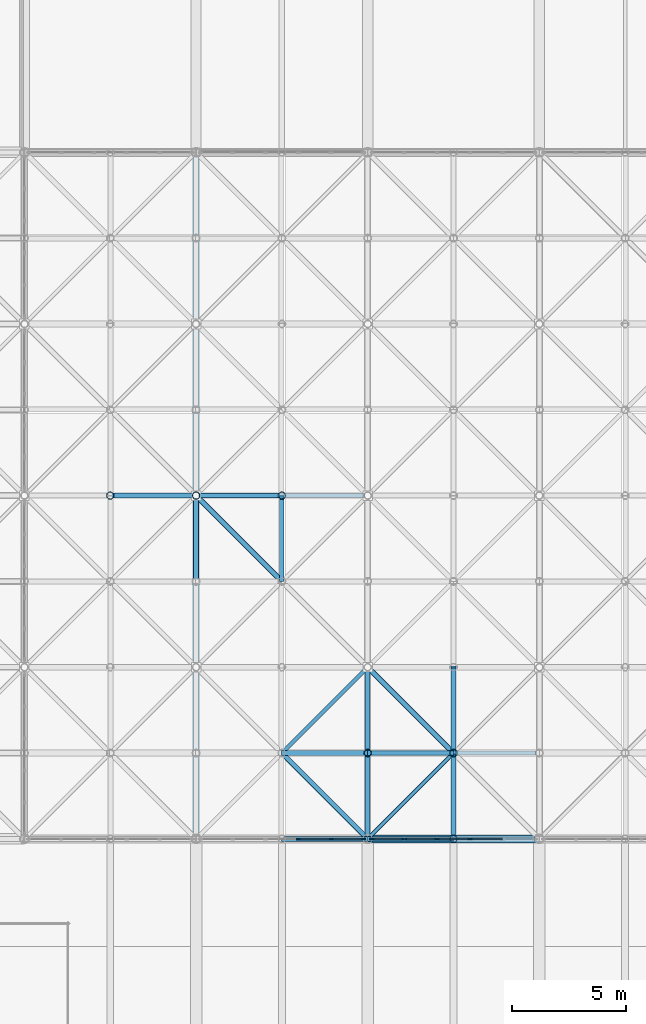
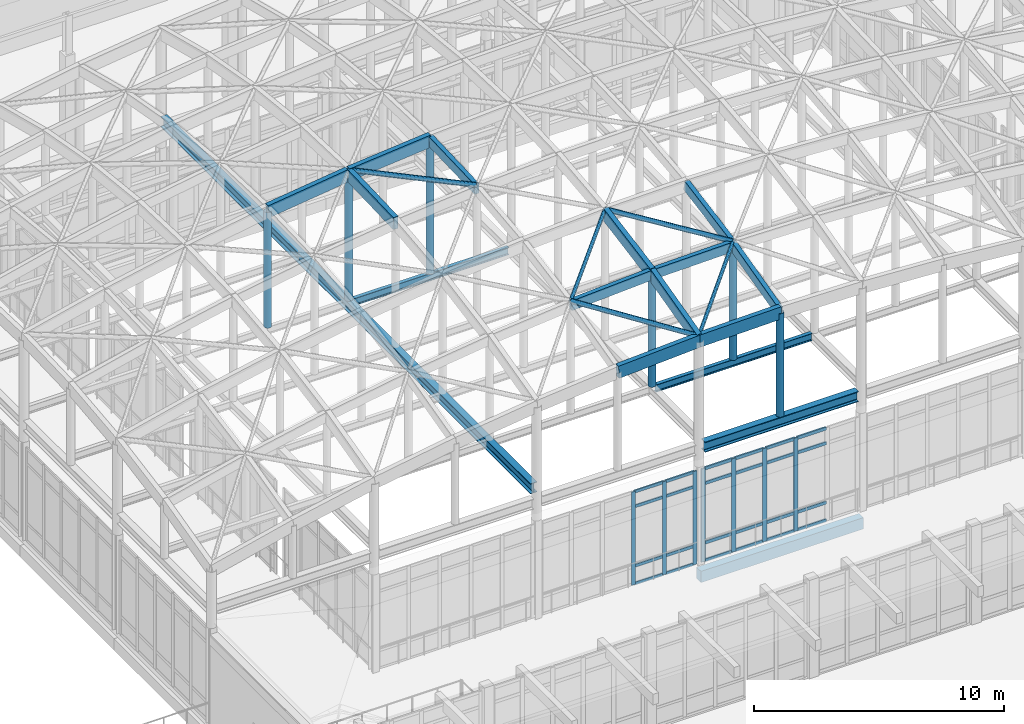
# One storey, part 34 of 131: 54 members, 5 beams, 2 elements without a shape of their own.
"""IFC4 building model written with IfcOpenShell, lengths in metres."""

from ifc_helpers import new_model, si_unit, direction, frame, origin, origin_2d, place, context, subcontext, project, spatial, rectangle, hollow_circle, i_section, extrude, material, layer, layer_set, material_profile, profile_set, type_object, element, aggregate, save


model = new_model("IFC4")

# Units and contexts
model_context = context("Model", 3, precision=1e-05, world=origin(), true_north=direction((0.0, 1.0)))
body_context = subcontext(model_context, "Body", "Model", "MODEL_VIEW")
ifc_project = project(units=[si_unit("LENGTHUNIT", "METRE"), si_unit("AREAUNIT", "SQUARE_METRE"), si_unit("VOLUMEUNIT", "CUBIC_METRE"), si_unit("PLANEANGLEUNIT", "RADIAN"), si_unit("MASSUNIT", "GRAM", prefix="KILO")], contexts=[model_context])

# Site, building, storey
site_placement = place(None, origin())
site = spatial("IfcSite", under=ifc_project, at=site_placement, CompositionType="ELEMENT")
building_placement = place(site_placement, origin())
building = spatial("IfcBuilding", under=site, at=building_placement, Name="Dalvernix Boulevard General Hospital", CompositionType="ELEMENT")
storey_placement = place(building_placement, frame((0.0, 0.0, 9.300048828125)))
storey = spatial("IfcBuildingStorey", under=building, at=storey_placement, Name="L02", CompositionType="ELEMENT", Elevation=9.300048828125)

# Beams
ifc_material_1 = material(Name="Steel S355", Category="steel")
ifc_material_profile_1 = material_profile(ifc_material_1, i_section(OverallWidth=0.300048828125, OverallDepth=0.5, WebThickness=0.014404296875, FlangeThickness=0.028076171875, FilletRadius=0.027099609375, at=origin_2d()), Name="HEB 500")
ifc_profile_set_1 = profile_set([ifc_material_profile_1], Name="Steel S355")
beam_type_1 = type_object("IfcBeamType", Name="BM-RB-02", PredefinedType="BEAM", material=ifc_profile_set_1)
beam_1_placement = place(storey_placement, frame((82.7099609375, 31.5, 5.64990234375), z_axis=(1.0, 0.0, 0.0), x_axis=(0.0, 1.0, 0.0)))
element("IfcBeam", 1, at=beam_1_placement, inside=storey, type_object=beam_type_1, Name="Gridshell Ring Beam S bay 4", PredefinedType="BEAM", context=body_context, shape_type="SweptSolid", body=[
    extrude(i_section(OverallWidth=0.300048828125, OverallDepth=0.5, WebThickness=0.014404296875, FlangeThickness=0.028076171875, FilletRadius=0.027099609375, at=origin_2d()), origin(), (0.0, 0.0, 1.0), 7.080078125),
])
beam_2_placement = place(storey_placement, frame((75.0, 31.7099609375, 6.14990234375), z_axis=(0.0, 1.0, 0.0), x_axis=(-1.0, 0.0, 0.0)))
element("IfcBeam", 2, at=beam_2_placement, inside=storey, type_object=beam_type_1, Name="ROOF TRUSS Gridshell tie beam 4", PredefinedType="BEAM", context=body_context, shape_type="SweptSolid", body=[
    extrude(i_section(OverallWidth=0.300048828125, OverallDepth=0.5, WebThickness=0.014404296875, FlangeThickness=0.028076171875, FilletRadius=0.027099609375, at=origin_2d()), origin(), (0.0, 0.0, 1.0), 29.580078125),
])
ifc_material_profile_2 = material_profile(ifc_material_1, i_section(OverallWidth=0.169921875, OverallDepth=0.360107421875, WebThickness=0.008056640625, FlangeThickness=0.0126953125, FilletRadius=0.01806640625, at=origin_2d()), Name="IPE 360")
ifc_profile_set_2 = profile_set([ifc_material_profile_2], Name="Steel S355")
beam_type_2 = type_object("IfcBeamType", Name="BM-RB-08", PredefinedType="BEAM", material=ifc_profile_set_2)
for number, where, z_axis, x_axis, name in (
    (3, (82.64208984375, 35.25, 6.219970703125), (1.0, 0.0, 0.0), (0.0, 1.0, 0.0), "ROOF TRUSS Gridshell cross tie 6-1"),
    (4, (75.14208984375, 46.5, 6.219970703125), (1.0, 0.0, 0.0), (0.0, 1.0, 0.0), "ROOF TRUSS Gridshell cross tie 4-4"),
):
    element("IfcBeam", number, at=place(storey_placement, frame(where, z_axis=z_axis, x_axis=x_axis)), inside=storey, type_object=beam_type_2, Name=name, PredefinedType="BEAM", context=body_context, shape_type="SweptSolid", body=[
        extrude(i_section(OverallWidth=0.169921875, OverallDepth=0.360107421875, WebThickness=0.008056640625, FlangeThickness=0.0126953125, FilletRadius=0.01806640625, at=origin_2d()), origin(), (0.0, 0.0, 1.0), 7.2158203125),
    ])
ifc_material_2 = material(Name="Concrete C35/45", Category="concrete")
ifc_material_profile_3 = material_profile(ifc_material_2, rectangle(XDim=0.35009765625, YDim=0.550048828125, at=origin_2d()), Name="RCB 350x550")
ifc_profile_set_3 = profile_set([ifc_material_profile_3], Name="Concrete C35/45")
beam_type_3 = type_object("IfcBeamType", Name="BM-SB-01-E", PredefinedType="SPANDREL", material=ifc_profile_set_3)
beam_3_placement = place(storey_placement, frame((82.5, 31.5, -0.594970703125), z_axis=(1.0, 0.0, 0.0), x_axis=(0.0, 1.0, 0.0)))
element("IfcBeam", 5, at=beam_3_placement, inside=storey, type_object=beam_type_3, Name="L02 E-W girder E:12-13", PredefinedType="SPANDREL", context=body_context, shape_type="SweptSolid", body=[
    extrude(rectangle(XDim=0.35009765625, YDim=0.550048828125, at=origin_2d()), origin(), (0.0, 0.0, 1.0), 7.5),
])

# Curtain wall, members
ifc_material_3 = material(Name="Thermally broken aluminium and solar-control glass curtain wall", Category="aluminium")
ifc_layer_1 = layer(ifc_material_3, 0.179931640625)
ifc_layer_set_1 = layer_set([ifc_layer_1], Name="Thermally broken aluminium and solar-control glass curtain wall (CW-CW-B-72x46)")
curtain_wall_type_1 = type_object("IfcCurtainWallType", Name="CW-CW-B-72x46", PredefinedType="USERDEFINED", material=ifc_layer_set_1)
curtain_wall_1_placement = place(storey_placement, origin())
curtain_wall_1 = element("IfcCurtainWall", 6, at=curtain_wall_1_placement, inside=storey, type_object=curtain_wall_type_1, Name="L02 curtain wall CW-B-72x46 10-4", ObjectType="GLAZED FACADE", PredefinedType="USERDEFINED")
ifc_material_4 = material(Name="Aluminium EN AW-6060", Category="aluminium")
ifc_material_profile_4 = material_profile(ifc_material_4, rectangle(XDim=0.06494140625, YDim=0.179931640625, at=origin_2d()), Name="ALU MULL 65x180")
ifc_profile_set_4 = profile_set([ifc_material_profile_4], Name="Aluminium EN AW-6060")
member_type_1 = type_object("IfcMemberType", Name="MEM-CW-M2", PredefinedType="MULLION", material=ifc_profile_set_4)
member_1_placement = place(storey_placement, frame((79.468017578125, 31.5, 0.0), z_axis=(0.0, 0.0, 1.0), x_axis=(0.0, 1.0, 0.0)))
member_1 = element("IfcMember", 7, at=member_1_placement, type_object=member_type_1, Name="CW-B-72x46 mullion 4", PredefinedType="MULLION", context=body_context, shape_type="SweptSolid", body=[
    extrude(rectangle(XDim=0.06494140625, YDim=0.179931640625, at=origin_2d()), origin(), (0.0, 0.0, 1.0), 4.550048828125),
])
member_2_placement = place(storey_placement, frame((80.904052734375, 31.5, 0.0), z_axis=(0.0, 0.0, 1.0), x_axis=(0.0, 1.0, 0.0)))
member_2 = element("IfcMember", 8, at=member_2_placement, type_object=member_type_1, Name="CW-B-72x46 mullion 5", PredefinedType="MULLION", context=body_context, shape_type="SweptSolid", body=[
    extrude(rectangle(XDim=0.06494140625, YDim=0.179931640625, at=origin_2d()), origin(), (0.0, 0.0, 1.0), 4.550048828125),
])
member_3_placement = place(storey_placement, frame((82.3076171875, 31.5, 0.0), z_axis=(0.0, 0.0, 1.0), x_axis=(0.0, 1.0, 0.0)))
member_3 = element("IfcMember", 9, at=member_3_placement, type_object=member_type_1, Name="CW-B-72x46 mullion 6", PredefinedType="MULLION", context=body_context, shape_type="SweptSolid", body=[
    extrude(rectangle(XDim=0.06494140625, YDim=0.179931640625, at=origin_2d()), origin(), (0.0, 0.0, 1.0), 4.550048828125),
])

ifc_layer_2 = layer(ifc_material_3, 0.199951171875)
ifc_layer_set_2 = layer_set([ifc_layer_2], Name="Thermally broken aluminium and solar-control glass curtain wall (CW-CW-C-72x46)")
curtain_wall_type_2 = type_object("IfcCurtainWallType", Name="CW-CW-C-72x46", PredefinedType="USERDEFINED", material=ifc_layer_set_2)
curtain_wall_2_placement = place(storey_placement, origin())
curtain_wall_2 = element("IfcCurtainWall", 10, at=curtain_wall_2_placement, inside=storey, type_object=curtain_wall_type_2, Name="L02 curtain wall CW-C-72x46 11-4", ObjectType="GLAZED FACADE", PredefinedType="USERDEFINED")
ifc_material_profile_5 = material_profile(ifc_material_4, rectangle(XDim=0.070068359375, YDim=0.199951171875, at=origin_2d()), Name="ALU MULL 70x200")
ifc_profile_set_5 = profile_set([ifc_material_profile_5], Name="Aluminium EN AW-6060")
member_type_2 = type_object("IfcMemberType", Name="MEM-CW-M3", PredefinedType="MULLION", material=ifc_profile_set_5)
member_4_placement = place(storey_placement, frame((82.695068359375, 31.5, 0.0), z_axis=(0.0, 0.0, 1.0), x_axis=(0.0, 1.0, 0.0)))
member_4 = element("IfcMember", 11, at=member_4_placement, type_object=member_type_2, Name="CW-C-72x46 mullion 1", PredefinedType="MULLION", context=body_context, shape_type="SweptSolid", body=[
    extrude(rectangle(XDim=0.070068359375, YDim=0.199951171875, at=origin_2d()), origin(), (0.0, 0.0, 1.0), 4.550048828125),
])
member_5_placement = place(storey_placement, frame((84.095947265625, 31.5, 0.0), z_axis=(0.0, 0.0, 1.0), x_axis=(0.0, 1.0, 0.0)))
member_5 = element("IfcMember", 12, at=member_5_placement, type_object=member_type_2, Name="CW-C-72x46 mullion 2", PredefinedType="MULLION", context=body_context, shape_type="SweptSolid", body=[
    extrude(rectangle(XDim=0.070068359375, YDim=0.199951171875, at=origin_2d()), origin(), (0.0, 0.0, 1.0), 4.550048828125),
])
member_6_placement = place(storey_placement, frame((85.531982421875, 31.5, 0.0), z_axis=(0.0, 0.0, 1.0), x_axis=(0.0, 1.0, 0.0)))
member_6 = element("IfcMember", 13, at=member_6_placement, type_object=member_type_2, Name="CW-C-72x46 mullion 3", PredefinedType="MULLION", context=body_context, shape_type="SweptSolid", body=[
    extrude(rectangle(XDim=0.070068359375, YDim=0.199951171875, at=origin_2d()), origin(), (0.0, 0.0, 1.0), 4.550048828125),
])
member_7_placement = place(storey_placement, frame((86.968017578125, 31.5, 0.0), z_axis=(0.0, 0.0, 1.0), x_axis=(0.0, 1.0, 0.0)))
member_7 = element("IfcMember", 14, at=member_7_placement, type_object=member_type_2, Name="CW-C-72x46 mullion 4", PredefinedType="MULLION", context=body_context, shape_type="SweptSolid", body=[
    extrude(rectangle(XDim=0.070068359375, YDim=0.199951171875, at=origin_2d()), origin(), (0.0, 0.0, 1.0), 4.550048828125),
])

# Member
ifc_material_profile_6 = material_profile(ifc_material_4, rectangle(XDim=0.06494140625, YDim=0.139892578125, at=origin_2d()), Name="ALU TRAN 65x140")
ifc_profile_set_6 = profile_set([ifc_material_profile_6], Name="Aluminium EN AW-6060")
member_type_3 = type_object("IfcMemberType", Name="MEM-CW-T2", PredefinedType="USERDEFINED", material=ifc_profile_set_6)
member_8_placement = place(storey_placement, frame((79.50048828125, 31.5, 0.032470703125), z_axis=(1.0, 0.0, 0.0), x_axis=(0.0, 1.0, 0.0)))
member_8 = element("IfcMember", 15, at=member_8_placement, type_object=member_type_3, Name="CW-B-72x46 transom 4.1", ObjectType="TRANSOM", PredefinedType="USERDEFINED", context=body_context, shape_type="SweptSolid", body=[
    extrude(rectangle(XDim=0.06494140625, YDim=0.139892578125, at=origin_2d()), origin(), (0.0, 0.0, 1.0), 1.37109375),
])

member_9_placement = place(storey_placement, frame((79.50048828125, 31.5, 0.89990234375), z_axis=(1.0, 0.0, 0.0), x_axis=(0.0, 1.0, 0.0)))
member_9 = element("IfcMember", 16, at=member_9_placement, type_object=member_type_3, Name="CW-B-72x46 transom 4.2", ObjectType="TRANSOM", PredefinedType="USERDEFINED", context=body_context, shape_type="SweptSolid", body=[
    extrude(rectangle(XDim=0.06494140625, YDim=0.139892578125, at=origin_2d()), origin(), (0.0, 0.0, 1.0), 1.37109375),
])

member_10_placement = place(storey_placement, frame((79.50048828125, 31.5, 3.800048828125), z_axis=(1.0, 0.0, 0.0), x_axis=(0.0, 1.0, 0.0)))
member_10 = element("IfcMember", 17, at=member_10_placement, type_object=member_type_3, Name="CW-B-72x46 transom 4.3", ObjectType="TRANSOM", PredefinedType="USERDEFINED", context=body_context, shape_type="SweptSolid", body=[
    extrude(rectangle(XDim=0.06494140625, YDim=0.139892578125, at=origin_2d()), origin(), (0.0, 0.0, 1.0), 1.37109375),
])

member_11_placement = place(storey_placement, frame((79.50048828125, 31.5, 4.517333984375), z_axis=(1.0, 0.0, 0.0), x_axis=(0.0, 1.0, 0.0)))
member_11 = element("IfcMember", 18, at=member_11_placement, type_object=member_type_3, Name="CW-B-72x46 transom 4.4", ObjectType="TRANSOM", PredefinedType="USERDEFINED", context=body_context, shape_type="SweptSolid", body=[
    extrude(rectangle(XDim=0.06494140625, YDim=0.139892578125, at=origin_2d()), origin(), (0.0, 0.0, 1.0), 1.37109375),
])

member_12_placement = place(storey_placement, frame((80.9365234375, 31.5, 0.032470703125), z_axis=(1.0, 0.0, 0.0), x_axis=(0.0, 1.0, 0.0)))
member_12 = element("IfcMember", 19, at=member_12_placement, type_object=member_type_3, Name="CW-B-72x46 transom 5.1", ObjectType="TRANSOM", PredefinedType="USERDEFINED", context=body_context, shape_type="SweptSolid", body=[
    extrude(rectangle(XDim=0.06494140625, YDim=0.139892578125, at=origin_2d()), origin(), (0.0, 0.0, 1.0), 1.33837890625),
])

member_13_placement = place(storey_placement, frame((80.9365234375, 31.5, 0.89990234375), z_axis=(1.0, 0.0, 0.0), x_axis=(0.0, 1.0, 0.0)))
member_13 = element("IfcMember", 20, at=member_13_placement, type_object=member_type_3, Name="CW-B-72x46 transom 5.2", ObjectType="TRANSOM", PredefinedType="USERDEFINED", context=body_context, shape_type="SweptSolid", body=[
    extrude(rectangle(XDim=0.06494140625, YDim=0.139892578125, at=origin_2d()), origin(), (0.0, 0.0, 1.0), 1.33837890625),
])

member_14_placement = place(storey_placement, frame((80.9365234375, 31.5, 3.800048828125), z_axis=(1.0, 0.0, 0.0), x_axis=(0.0, 1.0, 0.0)))
member_14 = element("IfcMember", 21, at=member_14_placement, type_object=member_type_3, Name="CW-B-72x46 transom 5.3", ObjectType="TRANSOM", PredefinedType="USERDEFINED", context=body_context, shape_type="SweptSolid", body=[
    extrude(rectangle(XDim=0.06494140625, YDim=0.139892578125, at=origin_2d()), origin(), (0.0, 0.0, 1.0), 1.33837890625),
])

member_15_placement = place(storey_placement, frame((80.9365234375, 31.5, 4.517333984375), z_axis=(1.0, 0.0, 0.0), x_axis=(0.0, 1.0, 0.0)))
member_15 = element("IfcMember", 22, at=member_15_placement, type_object=member_type_3, Name="CW-B-72x46 transom 5.4", ObjectType="TRANSOM", PredefinedType="USERDEFINED", context=body_context, shape_type="SweptSolid", body=[
    extrude(rectangle(XDim=0.06494140625, YDim=0.139892578125, at=origin_2d()), origin(), (0.0, 0.0, 1.0), 1.33837890625),
])

aggregate(curtain_wall_1, [member_1, member_2, member_3, member_8, member_9, member_10, member_11, member_12, member_13, member_14, member_15])

ifc_material_profile_7 = material_profile(ifc_material_4, rectangle(XDim=0.070068359375, YDim=0.14990234375, at=origin_2d()), Name="ALU TRAN 70x150")
ifc_profile_set_7 = profile_set([ifc_material_profile_7], Name="Aluminium EN AW-6060")
member_type_4 = type_object("IfcMemberType", Name="MEM-CW-T3", PredefinedType="USERDEFINED", material=ifc_profile_set_7)
member_16_placement = place(storey_placement, frame((82.72998046875, 31.5, 0.034912109375), z_axis=(1.0, 0.0, 0.0), x_axis=(0.0, 1.0, 0.0)))
member_16 = element("IfcMember", 23, at=member_16_placement, type_object=member_type_4, Name="CW-C-72x46 transom 1.1", ObjectType="TRANSOM", PredefinedType="USERDEFINED", context=body_context, shape_type="SweptSolid", body=[
    extrude(rectangle(XDim=0.070068359375, YDim=0.14990234375, at=origin_2d()), origin(), (0.0, 0.0, 1.0), 1.3310546875),
])

member_17_placement = place(storey_placement, frame((82.72998046875, 31.5, 0.89990234375), z_axis=(1.0, 0.0, 0.0), x_axis=(0.0, 1.0, 0.0)))
member_17 = element("IfcMember", 24, at=member_17_placement, type_object=member_type_4, Name="CW-C-72x46 transom 1.2", ObjectType="TRANSOM", PredefinedType="USERDEFINED", context=body_context, shape_type="SweptSolid", body=[
    extrude(rectangle(XDim=0.070068359375, YDim=0.14990234375, at=origin_2d()), origin(), (0.0, 0.0, 1.0), 1.3310546875),
])

member_18_placement = place(storey_placement, frame((82.72998046875, 31.5, 3.800048828125), z_axis=(1.0, 0.0, 0.0), x_axis=(0.0, 1.0, 0.0)))
member_18 = element("IfcMember", 25, at=member_18_placement, type_object=member_type_4, Name="CW-C-72x46 transom 1.3", ObjectType="TRANSOM", PredefinedType="USERDEFINED", context=body_context, shape_type="SweptSolid", body=[
    extrude(rectangle(XDim=0.070068359375, YDim=0.14990234375, at=origin_2d()), origin(), (0.0, 0.0, 1.0), 1.3310546875),
])

member_19_placement = place(storey_placement, frame((82.72998046875, 31.5, 4.514892578125), z_axis=(1.0, 0.0, 0.0), x_axis=(0.0, 1.0, 0.0)))
member_19 = element("IfcMember", 26, at=member_19_placement, type_object=member_type_4, Name="CW-C-72x46 transom 1.4", ObjectType="TRANSOM", PredefinedType="USERDEFINED", context=body_context, shape_type="SweptSolid", body=[
    extrude(rectangle(XDim=0.070068359375, YDim=0.14990234375, at=origin_2d()), origin(), (0.0, 0.0, 1.0), 1.3310546875),
])

member_20_placement = place(storey_placement, frame((84.131103515625, 31.5, 0.034912109375), z_axis=(1.0, 0.0, 0.0), x_axis=(0.0, 1.0, 0.0)))
member_20 = element("IfcMember", 27, at=member_20_placement, type_object=member_type_4, Name="CW-C-72x46 transom 2.1", ObjectType="TRANSOM", PredefinedType="USERDEFINED", context=body_context, shape_type="SweptSolid", body=[
    extrude(rectangle(XDim=0.070068359375, YDim=0.14990234375, at=origin_2d()), origin(), (0.0, 0.0, 1.0), 1.365966796875),
])

member_21_placement = place(storey_placement, frame((84.131103515625, 31.5, 0.89990234375), z_axis=(1.0, 0.0, 0.0), x_axis=(0.0, 1.0, 0.0)))
member_21 = element("IfcMember", 28, at=member_21_placement, type_object=member_type_4, Name="CW-C-72x46 transom 2.2", ObjectType="TRANSOM", PredefinedType="USERDEFINED", context=body_context, shape_type="SweptSolid", body=[
    extrude(rectangle(XDim=0.070068359375, YDim=0.14990234375, at=origin_2d()), origin(), (0.0, 0.0, 1.0), 1.365966796875),
])

member_22_placement = place(storey_placement, frame((84.131103515625, 31.5, 3.800048828125), z_axis=(1.0, 0.0, 0.0), x_axis=(0.0, 1.0, 0.0)))
member_22 = element("IfcMember", 29, at=member_22_placement, type_object=member_type_4, Name="CW-C-72x46 transom 2.3", ObjectType="TRANSOM", PredefinedType="USERDEFINED", context=body_context, shape_type="SweptSolid", body=[
    extrude(rectangle(XDim=0.070068359375, YDim=0.14990234375, at=origin_2d()), origin(), (0.0, 0.0, 1.0), 1.365966796875),
])

member_23_placement = place(storey_placement, frame((84.131103515625, 31.5, 4.514892578125), z_axis=(1.0, 0.0, 0.0), x_axis=(0.0, 1.0, 0.0)))
member_23 = element("IfcMember", 30, at=member_23_placement, type_object=member_type_4, Name="CW-C-72x46 transom 2.4", ObjectType="TRANSOM", PredefinedType="USERDEFINED", context=body_context, shape_type="SweptSolid", body=[
    extrude(rectangle(XDim=0.070068359375, YDim=0.14990234375, at=origin_2d()), origin(), (0.0, 0.0, 1.0), 1.365966796875),
])

member_24_placement = place(storey_placement, frame((85.56689453125, 31.5, 0.034912109375), z_axis=(1.0, 0.0, 0.0), x_axis=(0.0, 1.0, 0.0)))
member_24 = element("IfcMember", 31, at=member_24_placement, type_object=member_type_4, Name="CW-C-72x46 transom 3.1", ObjectType="TRANSOM", PredefinedType="USERDEFINED", context=body_context, shape_type="SweptSolid", body=[
    extrude(rectangle(XDim=0.070068359375, YDim=0.14990234375, at=origin_2d()), origin(), (0.0, 0.0, 1.0), 1.3662109375),
])

member_25_placement = place(storey_placement, frame((85.56689453125, 31.5, 0.89990234375), z_axis=(1.0, 0.0, 0.0), x_axis=(0.0, 1.0, 0.0)))
member_25 = element("IfcMember", 32, at=member_25_placement, type_object=member_type_4, Name="CW-C-72x46 transom 3.2", ObjectType="TRANSOM", PredefinedType="USERDEFINED", context=body_context, shape_type="SweptSolid", body=[
    extrude(rectangle(XDim=0.070068359375, YDim=0.14990234375, at=origin_2d()), origin(), (0.0, 0.0, 1.0), 1.3662109375),
])

member_26_placement = place(storey_placement, frame((85.56689453125, 31.5, 3.800048828125), z_axis=(1.0, 0.0, 0.0), x_axis=(0.0, 1.0, 0.0)))
member_26 = element("IfcMember", 33, at=member_26_placement, type_object=member_type_4, Name="CW-C-72x46 transom 3.3", ObjectType="TRANSOM", PredefinedType="USERDEFINED", context=body_context, shape_type="SweptSolid", body=[
    extrude(rectangle(XDim=0.070068359375, YDim=0.14990234375, at=origin_2d()), origin(), (0.0, 0.0, 1.0), 1.3662109375),
])

member_27_placement = place(storey_placement, frame((85.56689453125, 31.5, 4.514892578125), z_axis=(1.0, 0.0, 0.0), x_axis=(0.0, 1.0, 0.0)))
member_27 = element("IfcMember", 34, at=member_27_placement, type_object=member_type_4, Name="CW-C-72x46 transom 3.4", ObjectType="TRANSOM", PredefinedType="USERDEFINED", context=body_context, shape_type="SweptSolid", body=[
    extrude(rectangle(XDim=0.070068359375, YDim=0.14990234375, at=origin_2d()), origin(), (0.0, 0.0, 1.0), 1.3662109375),
])

member_28_placement = place(storey_placement, frame((87.0029296875, 31.5, 0.034912109375), z_axis=(1.0, 0.0, 0.0), x_axis=(0.0, 1.0, 0.0)))
member_28 = element("IfcMember", 35, at=member_28_placement, type_object=member_type_4, Name="CW-C-72x46 transom 4.1", ObjectType="TRANSOM", PredefinedType="USERDEFINED", context=body_context, shape_type="SweptSolid", body=[
    extrude(rectangle(XDim=0.070068359375, YDim=0.14990234375, at=origin_2d()), origin(), (0.0, 0.0, 1.0), 1.365966796875),
])

member_29_placement = place(storey_placement, frame((87.0029296875, 31.5, 0.89990234375), z_axis=(1.0, 0.0, 0.0), x_axis=(0.0, 1.0, 0.0)))
member_29 = element("IfcMember", 36, at=member_29_placement, type_object=member_type_4, Name="CW-C-72x46 transom 4.2", ObjectType="TRANSOM", PredefinedType="USERDEFINED", context=body_context, shape_type="SweptSolid", body=[
    extrude(rectangle(XDim=0.070068359375, YDim=0.14990234375, at=origin_2d()), origin(), (0.0, 0.0, 1.0), 1.365966796875),
])

member_30_placement = place(storey_placement, frame((87.0029296875, 31.5, 3.800048828125), z_axis=(1.0, 0.0, 0.0), x_axis=(0.0, 1.0, 0.0)))
member_30 = element("IfcMember", 37, at=member_30_placement, type_object=member_type_4, Name="CW-C-72x46 transom 4.3", ObjectType="TRANSOM", PredefinedType="USERDEFINED", context=body_context, shape_type="SweptSolid", body=[
    extrude(rectangle(XDim=0.070068359375, YDim=0.14990234375, at=origin_2d()), origin(), (0.0, 0.0, 1.0), 1.365966796875),
])

member_31_placement = place(storey_placement, frame((87.0029296875, 31.5, 4.514892578125), z_axis=(1.0, 0.0, 0.0), x_axis=(0.0, 1.0, 0.0)))
member_31 = element("IfcMember", 38, at=member_31_placement, type_object=member_type_4, Name="CW-C-72x46 transom 4.4", ObjectType="TRANSOM", PredefinedType="USERDEFINED", context=body_context, shape_type="SweptSolid", body=[
    extrude(rectangle(XDim=0.070068359375, YDim=0.14990234375, at=origin_2d()), origin(), (0.0, 0.0, 1.0), 1.365966796875),
])

aggregate(curtain_wall_2, [member_4, member_5, member_6, member_7, member_16, member_17, member_18, member_19, member_20, member_21, member_22, member_23, member_24, member_25, member_26, member_27, member_28, member_29, member_30, member_31])

# Members
ifc_material_5 = material(Name="Glulam GL28h", Category="wood")
ifc_material_profile_8 = material_profile(ifc_material_5, rectangle(XDim=0.219970703125, YDim=0.60009765625, at=origin_2d()), Name="GL28h 220x600")
ifc_profile_set_8 = profile_set([ifc_material_profile_8], Name="Glulam GL28h")
member_type_5 = type_object("IfcMemberType", Name="MEM-GS-C1", PredefinedType="CHORD", material=ifc_profile_set_8)
member_32_placement = place(storey_placement, frame((78.75, 31.5, 10.67236328125), z_axis=(0.998461553046, 0.0, 0.055448418278), x_axis=(0.0, 1.0, 0.0)))
element("IfcMember", 39, at=member_32_placement, inside=storey, type_object=member_type_5, Name="ROOF TRUSS Gridshell E-W glulam rib 6-1", PredefinedType="CHORD", context=body_context, shape_type="SweptSolid", body=[
    extrude(rectangle(XDim=0.219970703125, YDim=0.60009765625, at=origin_2d()), origin(), (0.0, 0.0, 1.0), 3.755859375),
])
member_33_placement = place(storey_placement, frame((82.5, 31.5, 10.880615234375), z_axis=(0.999829111468, 0.0, 0.018486423676), x_axis=(0.0, 1.0, 0.0)))
element("IfcMember", 40, at=member_33_placement, inside=storey, type_object=member_type_5, Name="ROOF TRUSS Gridshell E-W glulam rib 7-1", PredefinedType="CHORD", context=body_context, shape_type="SweptSolid", body=[
    extrude(rectangle(XDim=0.219970703125, YDim=0.60009765625, at=origin_2d()), origin(), (0.0, 0.0, 1.0), 3.750732421875),
])
member_34_placement = place(storey_placement, frame((71.25, 46.5, 12.039794921875), z_axis=(0.99171987465, 0.0, 0.128419975956), x_axis=(0.0, 1.0, 0.0)))
element("IfcMember", 41, at=member_34_placement, inside=storey, type_object=member_type_5, Name="ROOF TRUSS Gridshell E-W glulam rib 4-5", PredefinedType="CHORD", context=body_context, shape_type="SweptSolid", body=[
    extrude(rectangle(XDim=0.219970703125, YDim=0.60009765625, at=origin_2d()), origin(), (0.0, 0.0, 1.0), 3.78125),
])
member_35_placement = place(storey_placement, frame((75.0, 46.5, 12.525390625), z_axis=(0.995747945021, 0.0, 0.092119650382), x_axis=(0.0, 1.0, 0.0)))
element("IfcMember", 42, at=member_35_placement, inside=storey, type_object=member_type_5, Name="ROOF TRUSS Gridshell E-W glulam rib 5-5", PredefinedType="CHORD", context=body_context, shape_type="SweptSolid", body=[
    extrude(rectangle(XDim=0.219970703125, YDim=0.60009765625, at=origin_2d()), origin(), (0.0, 0.0, 1.0), 3.76611328125),
])
member_36_placement = place(storey_placement, frame((75.0, 42.75, 12.387939453125), z_axis=(0.0, 0.999328931228, 0.036629048716), x_axis=(-1.0, 0.0, 0.0)))
element("IfcMember", 43, at=member_36_placement, inside=storey, type_object=member_type_5, Name="ROOF TRUSS Gridshell N-S glulam rib 5-4", PredefinedType="CHORD", context=body_context, shape_type="SweptSolid", body=[
    extrude(rectangle(XDim=0.219970703125, YDim=0.60009765625, at=origin_2d()), origin(), (0.0, 0.0, 1.0), 3.75244140625),
])
member_37_placement = place(storey_placement, frame((82.5, 31.5, 10.880615234375), z_axis=(0.0, 0.968610158303, 0.248584716408), x_axis=(-1.0, 0.0, 0.0)))
element("IfcMember", 44, at=member_37_placement, inside=storey, type_object=member_type_5, Name="ROOF TRUSS Gridshell N-S glulam rib 7-1", PredefinedType="CHORD", context=body_context, shape_type="SweptSolid", body=[
    extrude(rectangle(XDim=0.219970703125, YDim=0.60009765625, at=origin_2d()), origin(), (0.0, 0.0, 1.0), 3.87158203125),
])
member_38_placement = place(storey_placement, frame((82.5, 35.25, 11.843017578125), z_axis=(0.0, 0.983606557377, 0.180327868852), x_axis=(-1.0, 0.0, 0.0)))
element("IfcMember", 45, at=member_38_placement, inside=storey, type_object=member_type_5, Name="ROOF TRUSS Gridshell N-S glulam rib 7-2", PredefinedType="CHORD", context=body_context, shape_type="SweptSolid", body=[
    extrude(rectangle(XDim=0.219970703125, YDim=0.60009765625, at=origin_2d()), origin(), (0.0, 0.0, 1.0), 3.8125),
])
ifc_material_profile_9 = material_profile(ifc_material_5, rectangle(XDim=0.199951171875, YDim=0.47998046875, at=origin_2d()), Name="GL28h 200x480")
ifc_profile_set_9 = profile_set([ifc_material_profile_9], Name="Glulam GL28h")
member_type_6 = type_object("IfcMemberType", Name="MEM-GS-C2", PredefinedType="CHORD", material=ifc_profile_set_9)
member_39_placement = place(storey_placement, frame((78.75, 35.25, 11.634765625), z_axis=(0.998461553046, 0.0, 0.055448418278), x_axis=(0.0, 1.0, 0.0)))
element("IfcMember", 46, at=member_39_placement, inside=storey, type_object=member_type_6, Name="ROOF TRUSS Gridshell E-W glulam rib 6-2", PredefinedType="CHORD", context=body_context, shape_type="SweptSolid", body=[
    extrude(rectangle(XDim=0.199951171875, YDim=0.47998046875, at=origin_2d()), origin(), (0.0, 0.0, 1.0), 3.755859375),
])
member_40_placement = place(storey_placement, frame((82.5, 35.25, 11.843017578125), z_axis=(0.999829111468, 0.0, 0.018486423676), x_axis=(0.0, 1.0, 0.0)))
element("IfcMember", 47, at=member_40_placement, inside=storey, type_object=member_type_6, Name="ROOF TRUSS Gridshell E-W glulam rib 7-2", PredefinedType="CHORD", context=body_context, shape_type="SweptSolid", body=[
    extrude(rectangle(XDim=0.199951171875, YDim=0.47998046875, at=origin_2d()), origin(), (0.0, 0.0, 1.0), 3.750732421875),
])
member_41_placement = place(storey_placement, frame((78.75, 42.75, 12.73486328125), z_axis=(0.0, 0.999328931228, 0.036629048716), x_axis=(-1.0, 0.0, 0.0)))
element("IfcMember", 48, at=member_41_placement, inside=storey, type_object=member_type_6, Name="ROOF TRUSS Gridshell N-S glulam rib 6-4", PredefinedType="CHORD", context=body_context, shape_type="SweptSolid", body=[
    extrude(rectangle(XDim=0.199951171875, YDim=0.47998046875, at=origin_2d()), origin(), (0.0, 0.0, 1.0), 3.75244140625),
])
member_42_placement = place(storey_placement, frame((86.25, 31.5, 10.949951171875), z_axis=(0.0, 0.968610158303, 0.248584716408), x_axis=(-1.0, 0.0, 0.0)))
element("IfcMember", 49, at=member_42_placement, inside=storey, type_object=member_type_6, Name="ROOF TRUSS Gridshell N-S glulam rib 8-1", PredefinedType="CHORD", context=body_context, shape_type="SweptSolid", body=[
    extrude(rectangle(XDim=0.199951171875, YDim=0.47998046875, at=origin_2d()), origin(), (0.0, 0.0, 1.0), 3.87158203125),
])
member_43_placement = place(storey_placement, frame((86.25, 35.25, 11.912353515625), z_axis=(0.0, 0.983606557377, 0.180327868852), x_axis=(-1.0, 0.0, 0.0)))
element("IfcMember", 50, at=member_43_placement, inside=storey, type_object=member_type_6, Name="ROOF TRUSS Gridshell N-S glulam rib 8-2", PredefinedType="CHORD", context=body_context, shape_type="SweptSolid", body=[
    extrude(rectangle(XDim=0.199951171875, YDim=0.47998046875, at=origin_2d()), origin(), (0.0, 0.0, 1.0), 3.8125),
])
ifc_material_profile_10 = material_profile(ifc_material_1, hollow_circle(Radius=0.161865234375, WallThickness=0.012451171875, at=origin_2d()), Name="CHS 323.9x12.5")
ifc_profile_set_10 = profile_set([ifc_material_profile_10], Name="Steel S355")
member_type_7 = type_object("IfcMemberType", Name="MEM-GS-C3", PredefinedType="CHORD", material=ifc_profile_set_10)
member_44_placement = place(storey_placement, frame((86.25, 31.5, 5.89990234375), z_axis=(0.0, 0.0, 1.0), x_axis=(1.0, 0.0, 0.0)))
element("IfcMember", 51, at=member_44_placement, inside=storey, type_object=member_type_7, Name="Gridshell edge mullion 7-0", PredefinedType="CHORD", context=body_context, shape_type="SweptSolid", body=[
    extrude(hollow_circle(Radius=0.161865234375, WallThickness=0.012451171875, at=origin_2d()), origin(), (0.0, 0.0, 1.0), 5.050048828125),
])
member_45_placement = place(storey_placement, frame((71.25, 46.5, 6.39990234375), z_axis=(0.0, 0.0, 1.0), x_axis=(1.0, 0.0, 0.0)))
element("IfcMember", 52, at=member_45_placement, inside=storey, type_object=member_type_7, Name="ROOF TRUSS Gridshell arch queen post 3-4", PredefinedType="CHORD", context=body_context, shape_type="SweptSolid", body=[
    extrude(hollow_circle(Radius=0.161865234375, WallThickness=0.012451171875, at=origin_2d()), origin(), (0.0, 0.0, 1.0), 5.639892578125),
])
member_46_placement = place(storey_placement, frame((75.0, 46.5, 6.39990234375), z_axis=(0.0, 0.0, 1.0), x_axis=(1.0, 0.0, 0.0)))
element("IfcMember", 53, at=member_46_placement, inside=storey, type_object=member_type_7, Name="ROOF TRUSS Gridshell arch queen post 4-4", PredefinedType="CHORD", context=body_context, shape_type="SweptSolid", body=[
    extrude(hollow_circle(Radius=0.161865234375, WallThickness=0.012451171875, at=origin_2d()), origin(), (0.0, 0.0, 1.0), 6.12548828125),
])
member_47_placement = place(storey_placement, frame((78.75, 46.5, 6.39990234375), z_axis=(0.0, 0.0, 1.0), x_axis=(1.0, 0.0, 0.0)))
element("IfcMember", 54, at=member_47_placement, inside=storey, type_object=member_type_7, Name="ROOF TRUSS Gridshell arch queen post 5-4", PredefinedType="CHORD", context=body_context, shape_type="SweptSolid", body=[
    extrude(hollow_circle(Radius=0.161865234375, WallThickness=0.012451171875, at=origin_2d()), origin(), (0.0, 0.0, 1.0), 6.472412109375),
])
member_48_placement = place(storey_placement, frame((82.5, 35.25, 6.39990234375), z_axis=(0.0, 0.0, 1.0), x_axis=(1.0, 0.0, 0.0)))
element("IfcMember", 55, at=member_48_placement, inside=storey, type_object=member_type_7, Name="ROOF TRUSS Gridshell arch queen post 6-1", PredefinedType="CHORD", context=body_context, shape_type="SweptSolid", body=[
    extrude(hollow_circle(Radius=0.161865234375, WallThickness=0.012451171875, at=origin_2d()), origin(), (0.0, 0.0, 1.0), 5.443115234375),
])
member_49_placement = place(storey_placement, frame((86.25, 35.25, 6.39990234375), z_axis=(0.0, 0.0, 1.0), x_axis=(1.0, 0.0, 0.0)))
element("IfcMember", 56, at=member_49_placement, inside=storey, type_object=member_type_7, Name="ROOF TRUSS Gridshell arch queen post 7-1", PredefinedType="CHORD", context=body_context, shape_type="SweptSolid", body=[
    extrude(hollow_circle(Radius=0.161865234375, WallThickness=0.012451171875, at=origin_2d()), origin(), (0.0, 0.0, 1.0), 5.512451171875),
])
ifc_material_profile_11 = material_profile(ifc_material_1, hollow_circle(Radius=0.084228515625, WallThickness=0.00634765625, at=origin_2d()), Name="CHS 168.3x6.3")
ifc_profile_set_11 = profile_set([ifc_material_profile_11], Name="Steel S355")
member_type_8 = type_object("IfcMemberType", Name="MEM-GSD-01", PredefinedType="BRACE", material=ifc_profile_set_11)
member_50_placement = place(storey_placement, frame((78.75, 35.25, 11.824951171875), z_axis=(0.69723641879, 0.69723641879, 0.166501509383), x_axis=(-0.707106781187, 0.707106781187, 0.0)))
element("IfcMember", 57, at=member_50_placement, inside=storey, type_object=member_type_8, Name="ROOF TRUSS Gridshell diagrid tube 6-2", PredefinedType="BRACE", context=body_context, shape_type="SweptSolid", body=[
    extrude(hollow_circle(Radius=0.084228515625, WallThickness=0.00634765625, at=origin_2d()), origin(), (0.0, 0.0, 1.0), 5.37841796875),
])
member_51_placement = place(storey_placement, frame((82.5, 31.5, 11.070556640625), z_axis=(0.694087641346, 0.694087641346, 0.191009665363), x_axis=(-0.707106781187, 0.707106781187, 0.0)))
element("IfcMember", 58, at=member_51_placement, inside=storey, type_object=member_type_8, Name="ROOF TRUSS Gridshell diagrid tube 7-1", PredefinedType="BRACE", context=body_context, shape_type="SweptSolid", body=[
    extrude(hollow_circle(Radius=0.084228515625, WallThickness=0.00634765625, at=origin_2d()), origin(), (0.0, 0.0, 1.0), 5.40283203125),
])
ifc_material_profile_12 = material_profile(ifc_material_1, hollow_circle(Radius=0.109619140625, WallThickness=0.008056640625, at=origin_2d()), Name="CHS 219.1x8.0")
ifc_profile_set_12 = profile_set([ifc_material_profile_12], Name="Steel S355")
member_type_9 = type_object("IfcMemberType", Name="MEM-GSD-02", PredefinedType="BRACE", material=ifc_profile_set_12)
member_52_placement = place(storey_placement, frame((78.75, 42.75, 12.9248046875), z_axis=(-0.706555834786, 0.706555834786, -0.039467767334), x_axis=(-0.707106781187, -0.707106781187, 0.0)))
element("IfcMember", 59, at=member_52_placement, inside=storey, type_object=member_type_9, Name="ROOF TRUSS Gridshell diagrid tube 5-4", PredefinedType="BRACE", context=body_context, shape_type="SweptSolid", body=[
    extrude(hollow_circle(Radius=0.109619140625, WallThickness=0.008056640625, at=origin_2d()), origin(), (0.0, 0.0, 1.0), 5.307373046875),
])
member_53_placement = place(storey_placement, frame((82.5, 31.5, 11.070556640625), z_axis=(-0.700059381411, 0.700059381411, 0.14083225837), x_axis=(-0.707106781187, -0.707106781187, 0.0)))
element("IfcMember", 60, at=member_53_placement, inside=storey, type_object=member_type_9, Name="ROOF TRUSS Gridshell diagrid tube 6-1", PredefinedType="BRACE", context=body_context, shape_type="SweptSolid", body=[
    extrude(hollow_circle(Radius=0.109619140625, WallThickness=0.008056640625, at=origin_2d()), origin(), (0.0, 0.0, 1.0), 5.356689453125),
])
member_54_placement = place(storey_placement, frame((86.25, 35.25, 12.1025390625), z_axis=(-0.702355265551, 0.702355265551, 0.115733149551), x_axis=(-0.707106781187, -0.707106781187, 0.0)))
element("IfcMember", 61, at=member_54_placement, inside=storey, type_object=member_type_9, Name="ROOF TRUSS Gridshell diagrid tube 7-2", PredefinedType="BRACE", context=body_context, shape_type="SweptSolid", body=[
    extrude(hollow_circle(Radius=0.109619140625, WallThickness=0.008056640625, at=origin_2d()), origin(), (0.0, 0.0, 1.0), 5.339111328125),
])

save(model, "model.ifc")
